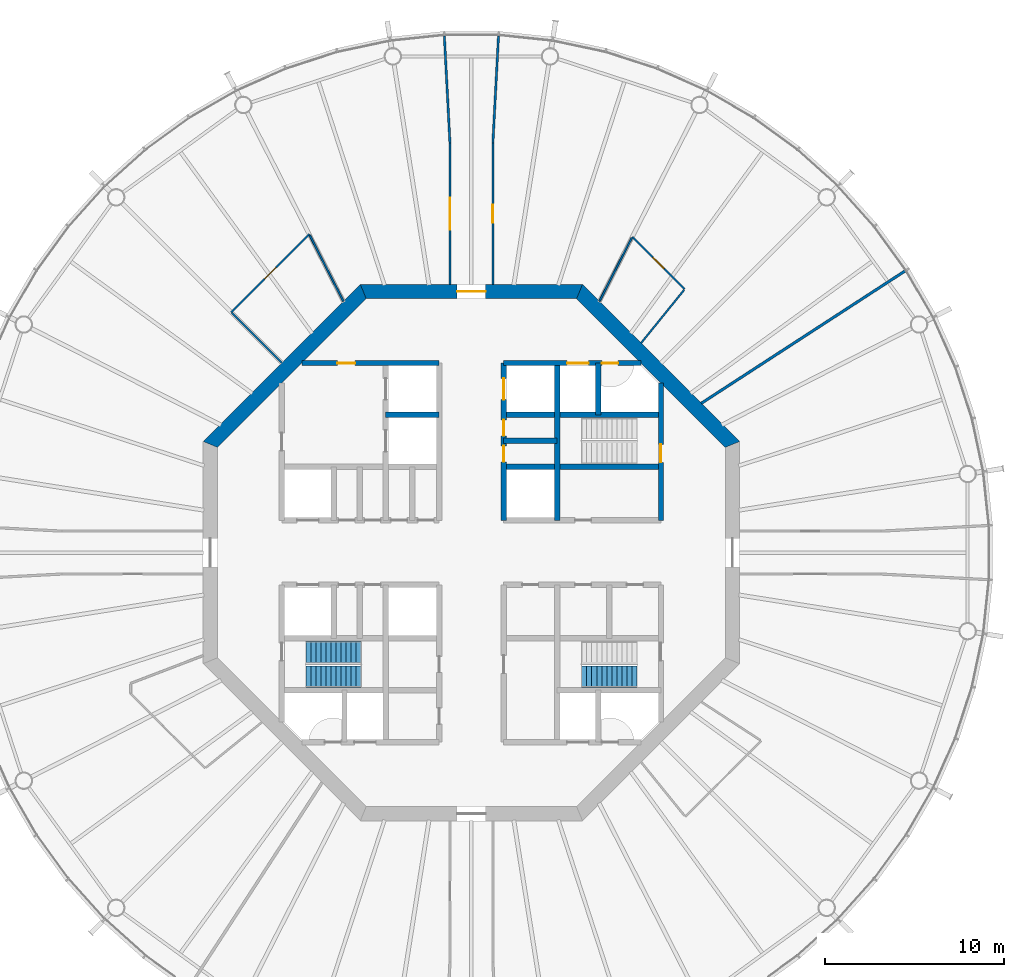
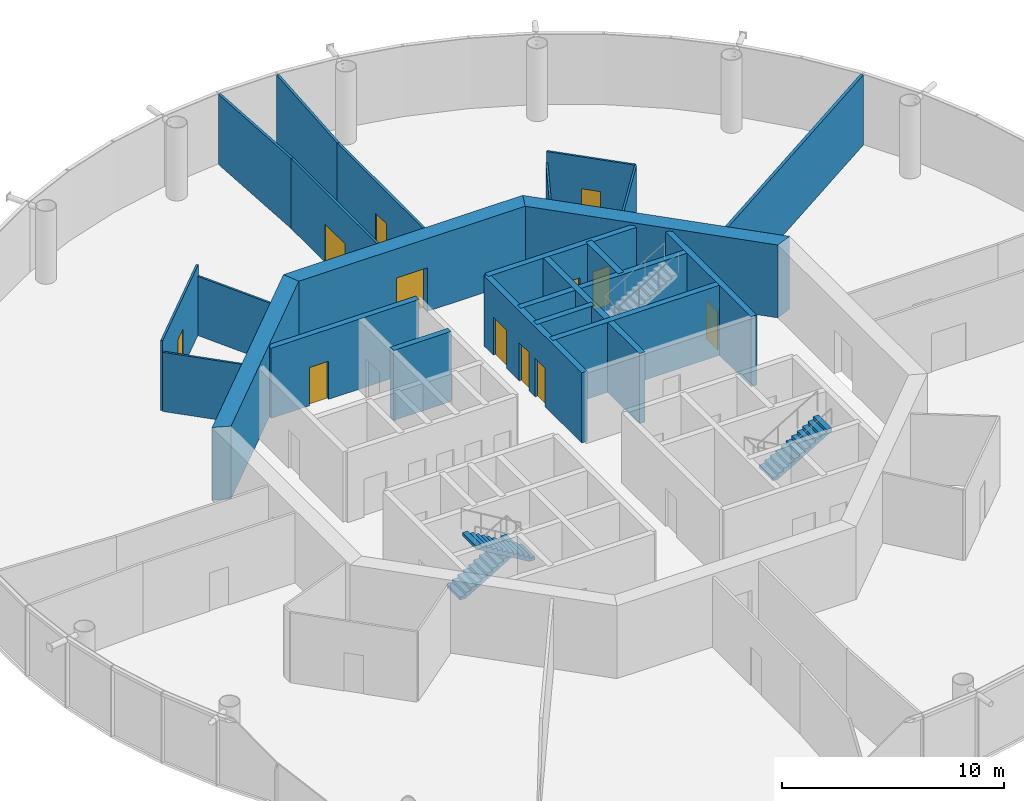
# One storey, part 5 of 17: 24 walls, 12 doors, 3 stair flights, 12 openings, 2 elements without a shape of their own.
"""IFC4 building model written with IfcOpenShell, lengths in metres."""

import ifcopenshell
import ifcopenshell.guid

model = None  # the IFC model being written
_history = None  # IfcOwnerHistory: only IFC2X3 demands one
_inside = {}  # id of a spatial element -> (the spatial element, [elements in it])
_under = {}  # id of a project, library or spatial element -> (it, [spatial elements below it])
_declared = {}  # id of a project -> (the project, [libraries it declares])
_typed = {}  # id of a type object -> (the type object, [elements of that type])
_made_of = {}  # id of a material, layer set ... -> (it, [elements and type objects made of it])


def new_model(schema):
    """Start an empty IFC model of exactly this schema.

    Asked for "IFC4X3", IfcOpenShell would pick the latest addendum, in which some entities
    have other attributes; the version numbers below select the first issue.
    IFC2X3 requires an IfcOwnerHistory on every rooted entity: one is made here for all.
    """
    global model, _history
    if schema == "IFC4X3":
        model = ifcopenshell.file(schema_version=(4, 3, 0, 0))
    else:
        model = ifcopenshell.file(schema=schema)
    _inside.clear()
    _under.clear()
    _declared.clear()
    _typed.clear()
    _made_of.clear()
    _history = None
    if model.schema == "IFC2X3":
        org = make("IfcOrganization", Name="unknown")
        user = make(
            "IfcPersonAndOrganization",
            ThePerson=make("IfcPerson", FamilyName="unknown"),
            TheOrganization=org,
        )
        app = make(
            "IfcApplication",
            ApplicationDeveloper=org,
            Version="unknown",
            ApplicationFullName="unknown",
            ApplicationIdentifier="unknown",
        )
        _history = make(
            "IfcOwnerHistory",
            OwningUser=user,
            OwningApplication=app,
            ChangeAction="ADDED",
            CreationDate=0,
        )
    return model


def make(cls, **values):
    """One entity of the class cls with the attributes given. An attribute that is None is left unset."""
    return model.create_entity(
        cls, **{name: value for name, value in values.items() if value is not None}
    )


def rooted(cls, **values):
    """An entity with a GlobalId (a new one), such as an element, a storey or a relation."""
    return make(cls, GlobalId=ifcopenshell.guid.new(), OwnerHistory=_history, **values)


def si_unit(unit_type, name, prefix=None):
    """IfcSIUnit, for example si_unit("LENGTHUNIT", "METRE", prefix="MILLI")."""
    return make("IfcSIUnit", UnitType=unit_type, Prefix=prefix, Name=name)


def assignment(units):
    """IfcUnitAssignment: the units of a project."""
    return None if units is None else make("IfcUnitAssignment", Units=units)


def point(xyz):
    """IfcCartesianPoint."""
    return None if xyz is None else make("IfcCartesianPoint", Coordinates=xyz)


def direction(xyz):
    """IfcDirection."""
    return None if xyz is None else make("IfcDirection", DirectionRatios=xyz)


def frame(location, z_axis=None, x_axis=None):
    """IfcAxis2Placement3D, a coordinate frame: its origin and axes. An axis left out is left unset."""
    return make(
        "IfcAxis2Placement3D",
        Location=point(location),
        Axis=direction(z_axis),
        RefDirection=direction(x_axis),
    )


def frame_2d(location, x_axis=None):
    """IfcAxis2Placement2D, a coordinate frame in the plane: its origin and x axis."""
    return make(
        "IfcAxis2Placement2D", Location=point(location), RefDirection=direction(x_axis)
    )


def origin():
    """The frame at (0, 0, 0) with its axes left unset."""
    return frame((0.0, 0.0, 0.0))


def place(relative_to, where):
    """IfcLocalPlacement: puts the frame where relative to a parent placement (None: the world)."""
    return make(
        "IfcLocalPlacement", PlacementRelTo=relative_to, RelativePlacement=where
    )


def context(
    kind, dimensions, precision=None, world=None, true_north=None, identifier=None
):
    """IfcGeometricRepresentationContext, for example the 3D "Model" context."""
    return make(
        "IfcGeometricRepresentationContext",
        ContextIdentifier=identifier,
        ContextType=kind,
        CoordinateSpaceDimension=dimensions,
        Precision=precision,
        WorldCoordinateSystem=world,
        TrueNorth=true_north,
    )


def subcontext(parent, identifier, kind, view, scale=None):
    """IfcGeometricRepresentationSubContext, for example "Body" below "Model"."""
    return make(
        "IfcGeometricRepresentationSubContext",
        ContextIdentifier=identifier,
        ContextType=kind,
        ParentContext=parent,
        TargetScale=scale,
        TargetView=view,
    )


def project(units=None, contexts=None):
    """IfcProject with its units and contexts."""
    return rooted(
        "IfcProject",
        Name="project",
        RepresentationContexts=contexts,
        UnitsInContext=assignment(units),
    )


def spatial(cls, under=None, at=None, **own):
    """A site, building, storey or space (cls), placed at a placement, below another one or the project."""
    s = rooted(cls, ObjectPlacement=at, **own)
    if under is not None:
        _under.setdefault(under.id(), (under, []))[1].append(s)
    return s


def polyline(points):
    """IfcPolyline through the points."""
    return make("IfcPolyline", Points=[point(p) for p in points])


def profile(cls, at=None, kind="AREA", **sizes):
    """A parametric profile (cls). Its sizes go by their IFC names, for example OverallWidth=200.0."""
    return make(cls, ProfileType=kind, Position=at, **sizes)


def rectangle(**sizes):
    """IfcRectangleProfileDef."""
    return profile("IfcRectangleProfileDef", **sizes)


def outline(outer, holes=None, kind="AREA"):
    """IfcArbitraryClosedProfileDef: a profile drawn as a closed curve; with holes, ...WithVoids."""
    if holes is None:
        return make("IfcArbitraryClosedProfileDef", ProfileType=kind, OuterCurve=outer)
    return make(
        "IfcArbitraryProfileDefWithVoids",
        ProfileType=kind,
        OuterCurve=outer,
        InnerCurves=holes,
    )


def extrude(swept, where, along, depth):
    """IfcExtrudedAreaSolid: the profile swept, set in the frame where, extruded along a direction by depth."""
    return make(
        "IfcExtrudedAreaSolid",
        SweptArea=swept,
        Position=where,
        ExtrudedDirection=direction(along),
        Depth=depth,
    )


def shape(context_of_items, identifier, shape_type, items):
    """IfcShapeRepresentation: the items that make up one representation, for example the "Body"."""
    return make(
        "IfcShapeRepresentation",
        ContextOfItems=context_of_items,
        RepresentationIdentifier=identifier,
        RepresentationType=shape_type,
        Items=items,
    )


def material(Name=None, Category=None):
    """IfcMaterial."""
    return make("IfcMaterial", Name=Name, Category=Category)


def layer(
    of_material, thickness, ventilated=None, Name=None, Category=None, Priority=None
):
    """IfcMaterialLayer: one layer of a wall or slab, of a material (None: an air gap)."""
    return make(
        "IfcMaterialLayer",
        Material=of_material,
        LayerThickness=thickness,
        IsVentilated=ventilated,
        Name=Name,
        Category=Category,
        Priority=Priority,
    )


def layer_set(layers, Name=None):
    """IfcMaterialLayerSet."""
    return make("IfcMaterialLayerSet", MaterialLayers=layers, LayerSetName=Name)


def made_of(thing, what):
    """Note that an element or type object is made of a material, layer set ...; save() writes the relation."""
    if what is not None:
        _made_of.setdefault(what.id(), (what, []))[1].append(thing)
    return thing


def type_object(cls, material=None, **own):
    """A type object (cls), such as IfcWallType, which elements share."""
    return made_of(rooted(cls, **own), material)


def element(
    cls,
    number,
    at=None,
    inside=None,
    cuts=None,
    type_object=None,
    material=None,
    context=None,
    identifier="Body",
    shape_type=None,
    held_by="IfcProductDefinitionShape",
    body=None,
    shapes=None,
    **own,
):
    """One element of the class cls, such as IfcWall. Its Tag is "e" and its number.

    at: its placement. inside: the storey or other place that contains it. cuts: it is an
    opening in that element (IfcRelVoidsElement). A single representation is given by context,
    identifier, shape_type and body (its items); several are given by shapes. held_by: the class
    of the entity that holds the representations. save() writes the other relations.
    """
    e = rooted(cls, Tag="e%d" % number, ObjectPlacement=at, **own)
    if body is not None:
        shapes = [shape(context, identifier, shape_type, body)]
    if shapes is not None:
        e.Representation = make(held_by, Representations=shapes)
    if inside is not None:
        _inside.setdefault(inside.id(), (inside, []))[1].append(e)
    if cuts is not None:
        rooted(
            "IfcRelVoidsElement", RelatingBuildingElement=cuts, RelatedOpeningElement=e
        )
    if type_object is not None:
        _typed.setdefault(type_object.id(), (type_object, []))[1].append(e)
    return made_of(e, material)


def fill(opening, filler):
    """IfcRelFillsElement: the door or window that sits in an opening."""
    return rooted(
        "IfcRelFillsElement",
        RelatingOpeningElement=opening,
        RelatedBuildingElement=filler,
    )


def aggregate(whole, parts):
    """IfcRelAggregates: a whole, such as a stair, and the parts it consists of."""
    return rooted("IfcRelAggregates", RelatingObject=whole, RelatedObjects=parts)


def save(model, path):
    """Write the relations noted so far, then the file.

    IfcRelAggregates (storeys below a building ...), IfcRelContainedInSpatialStructure (elements
    in a storey), IfcRelDefinesByType, IfcRelAssociatesMaterial and IfcRelDeclares: one each for
    every whole, place, type object, material and project.
    """
    for whole, parts in _under.values():
        aggregate(whole, parts)
    for where, things in _inside.values():
        rooted(
            "IfcRelContainedInSpatialStructure",
            RelatedElements=things,
            RelatingStructure=where,
        )
    for kind, things in _typed.values():
        rooted("IfcRelDefinesByType", RelatedObjects=things, RelatingType=kind)
    for what, things in _made_of.values():
        rooted("IfcRelAssociatesMaterial", RelatedObjects=things, RelatingMaterial=what)
    for by, libraries in _declared.values():
        rooted("IfcRelDeclares", RelatingContext=by, RelatedDefinitions=libraries)
    model.write(path)


model = new_model("IFC4")

# Units and contexts
model_context = context("Model", 3, precision=1e-05, world=origin(), true_north=direction((0.0, 1.0)))
body_context = subcontext(model_context, "Body", "Model", "MODEL_VIEW")
ifc_project = project(units=[si_unit("LENGTHUNIT", "METRE"), si_unit("AREAUNIT", "SQUARE_METRE"), si_unit("VOLUMEUNIT", "CUBIC_METRE"), si_unit("PLANEANGLEUNIT", "RADIAN"), si_unit("MASSUNIT", "GRAM", prefix="KILO")], contexts=[model_context])

# Site, building, storey
site_placement = place(None, origin())
site = spatial("IfcSite", under=ifc_project, at=site_placement, CompositionType="ELEMENT")
building_placement = place(site_placement, origin())
building = spatial("IfcBuilding", under=site, at=building_placement, Name="Entoto Ring Tower", CompositionType="ELEMENT")
storey_placement = place(building_placement, frame((0.0, 0.0, 306.0)))
storey = spatial("IfcBuildingStorey", under=building, at=storey_placement, Name="L70", CompositionType="ELEMENT", Elevation=306.0)

# Wall, opening, door
ifc_material_1 = material(Name="Concrete C40/50", Category="concrete")
ifc_layer_1 = layer(ifc_material_1, 0.300048828125)
ifc_layer_set_1 = layer_set([ifc_layer_1], Name="Concrete C40/50")
wall_type_1 = type_object("IfcWallType", Name="Core enclosure wall 300 mm reinforced concrete", PredefinedType="SOLIDWALL", material=ifc_layer_set_1)
wall_1_placement = place(storey_placement, frame((100.60009765625, 81.800048828125, 0.0), z_axis=(0.0, 0.0, 1.0), x_axis=(0.0, 1.0, 0.0)))
wall_1 = element("IfcWall", 1, at=wall_1_placement, inside=storey, type_object=wall_type_1, Name="wall-L70-002", PredefinedType="SOLIDWALL", context=body_context, shape_type="SweptSolid", body=[
    extrude(rectangle(XDim=7.681640625, YDim=0.300048828125, at=frame_2d((3.8408203125, 0.0))), origin(), (0.0, 0.0, 1.0), 3.85009765625),
])
opening_1_placement = place(wall_1_placement, frame((3.25, 0.0, 0.0)))
opening_1 = element("IfcOpeningElement", 2, at=opening_1_placement, cuts=wall_1, Name="Opening K-26", PredefinedType="OPENING", context=body_context, shape_type="SweptSolid", body=[
    extrude(rectangle(XDim=1.0, YDim=2.10009765625, at=frame_2d((0.5, 1.050048828125))), frame((0.0, 0.16015625, 0.0), z_axis=(0.0, -1.0, 0.0), x_axis=(1.0, 0.0, 0.0)), (0.0, 0.0, 1.0), 0.320068359375),
])
ifc_material_2 = material(Name="Steel door leaf, fire rated", Category="steel")
ifc_layer_2 = layer(ifc_material_2, 0.050048828125)
ifc_layer_set_2 = layer_set([ifc_layer_2], Name="Steel door leaf, fire rated")
door_type_1 = type_object("IfcDoorType", Name="Fire door FD60 1000 x 2100 single leaf", OperationType="NOTDEFINED", PredefinedType="DOOR", material=ifc_layer_set_2)
door_1_placement = place(opening_1_placement, origin())
door_1 = element("IfcDoor", 3, at=door_1_placement, inside=storey, type_object=door_type_1, Name="Door K-26", OperationType="SINGLE_SWING_LEFT", OverallHeight=2.10009765625, OverallWidth=1.0, PredefinedType="DOOR", context=body_context, shape_type="SweptSolid", body=[
    extrude(rectangle(XDim=1.0, YDim=2.10009765625, at=frame_2d((0.5, 1.050048828125))), frame((0.0, 0.02490234375, 0.0), z_axis=(0.0, -1.0, 0.0), x_axis=(1.0, 0.0, 0.0)), (0.0, 0.0, 1.0), 0.050048828125),
])
fill(opening_1, door_1)

# Walls
wall_2_placement = place(storey_placement, frame((97.10009765625, 87.699951171875, 0.0), z_axis=(0.0, 0.0, 1.0), x_axis=(0.0, 1.0, 0.0)))
element("IfcWall", 4, at=wall_2_placement, inside=storey, type_object=wall_type_1, Name="wall-L70-005", PredefinedType="SOLIDWALL", context=body_context, shape_type="SweptSolid", body=[
    extrude(rectangle(XDim=2.900146484375, YDim=0.300048828125, at=frame_2d((1.4501953125, 0.0))), origin(), (0.0, 0.0, 1.0), 3.85009765625),
])
wall_3_placement = place(storey_placement, frame((94.800048828125, 81.800048828125, 0.0), z_axis=(0.0, 0.0, 1.0), x_axis=(0.0, 1.0, 0.0)))
element("IfcWall", 5, at=wall_3_placement, inside=storey, type_object=wall_type_1, Name="wall-L70-007", PredefinedType="SOLIDWALL", context=body_context, shape_type="SweptSolid", body=[
    extrude(rectangle(XDim=8.800048828125, YDim=0.300048828125, at=frame_2d((4.39990234375, 0.0))), origin(), (0.0, 0.0, 1.0), 3.85009765625),
])

# Wall, openings, doors
wall_4_placement = place(storey_placement, frame((91.800048828125, 81.800048828125, 0.0), z_axis=(0.0, 0.0, 1.0), x_axis=(0.0, 1.0, 0.0)))
wall_4 = element("IfcWall", 6, at=wall_4_placement, inside=storey, type_object=wall_type_1, Name="wall-L70-009", PredefinedType="SOLIDWALL", context=body_context, shape_type="SweptSolid", body=[
    extrude(rectangle(XDim=8.800048828125, YDim=0.300048828125, at=frame_2d((4.39990234375, 0.0))), origin(), (0.0, 0.0, 1.0), 3.85009765625),
])
opening_2_placement = place(wall_4_placement, frame((6.75, 0.0, 0.0)))
opening_2 = element("IfcOpeningElement", 7, at=opening_2_placement, cuts=wall_4, Name="Opening LD", PredefinedType="OPENING", context=body_context, shape_type="SweptSolid", body=[
    extrude(rectangle(XDim=1.199951171875, YDim=2.10009765625, at=frame_2d((0.60009765625, 1.050048828125))), frame((0.0, 0.16015625, 0.0), z_axis=(0.0, -1.0, 0.0), x_axis=(1.0, 0.0, 0.0)), (0.0, 0.0, 1.0), 0.320068359375),
])
opening_3_placement = place(wall_4_placement, frame((3.27490234375, 0.0, 0.0)))
opening_3 = element("IfcOpeningElement", 8, at=opening_3_placement, cuts=wall_4, Name="Opening K-18", PredefinedType="OPENING", context=body_context, shape_type="SweptSolid", body=[
    extrude(rectangle(XDim=0.89990234375, YDim=2.10009765625, at=frame_2d((0.449951171875, 1.050048828125))), frame((0.0, 0.16015625, 0.0), z_axis=(0.0, -1.0, 0.0), x_axis=(1.0, 0.0, 0.0)), (0.0, 0.0, 1.0), 0.320068359375),
])
opening_4_placement = place(wall_4_placement, frame((4.72509765625, 0.0, 0.0)))
opening_4 = element("IfcOpeningElement", 9, at=opening_4_placement, cuts=wall_4, Name="Opening K-19", PredefinedType="OPENING", context=body_context, shape_type="SweptSolid", body=[
    extrude(rectangle(XDim=0.89990234375, YDim=2.10009765625, at=frame_2d((0.449951171875, 1.050048828125))), frame((0.0, 0.16015625, 0.0), z_axis=(0.0, -1.0, 0.0), x_axis=(1.0, 0.0, 0.0)), (0.0, 0.0, 1.0), 0.320068359375),
])
ifc_material_3 = material(Name="Steel door leaf, fire rated", Category="steel")
ifc_layer_3 = layer(ifc_material_3, 0.050048828125)
ifc_layer_set_3 = layer_set([ifc_layer_3], Name="Steel door leaf, fire rated")
door_type_2 = type_object("IfcDoorType", Name="Core door 900 x 2100 single leaf", OperationType="NOTDEFINED", PredefinedType="DOOR", material=ifc_layer_set_3)
door_2_placement = place(opening_3_placement, frame((0.89990234375, 0.0, 0.0), z_axis=(0.0, 0.0, 1.0), x_axis=(-1.0, 0.0, 0.0)))
door_2 = element("IfcDoor", 10, at=door_2_placement, inside=storey, type_object=door_type_2, Name="Door K-18", OperationType="SINGLE_SWING_LEFT", OverallHeight=2.10009765625, OverallWidth=0.89990234375, PredefinedType="DOOR", context=body_context, shape_type="SweptSolid", body=[
    extrude(rectangle(XDim=0.89990234375, YDim=2.10009765625, at=frame_2d((0.449951171875, 1.050048828125))), frame((0.0, 0.02490234375, 0.0), z_axis=(0.0, -1.0, 0.0), x_axis=(1.0, 0.0, 0.0)), (0.0, 0.0, 1.0), 0.050048828125),
])
fill(opening_3, door_2)
door_3_placement = place(opening_4_placement, frame((0.89990234375, 0.0, 0.0), z_axis=(0.0, 0.0, 1.0), x_axis=(-1.0, 0.0, 0.0)))
door_3 = element("IfcDoor", 11, at=door_3_placement, inside=storey, type_object=door_type_2, Name="Door K-19", OperationType="SINGLE_SWING_RIGHT", OverallHeight=2.10009765625, OverallWidth=0.89990234375, PredefinedType="DOOR", context=body_context, shape_type="SweptSolid", body=[
    extrude(rectangle(XDim=0.89990234375, YDim=2.10009765625, at=frame_2d((0.449951171875, 1.050048828125))), frame((0.0, 0.02490234375, 0.0), z_axis=(0.0, -1.0, 0.0), x_axis=(1.0, 0.0, 0.0)), (0.0, 0.0, 1.0), 0.050048828125),
])
fill(opening_4, door_3)
ifc_material_4 = material(Name="Steel and glass door leaf", Category="steel")
ifc_layer_4 = layer(ifc_material_4, 0.050048828125)
ifc_layer_set_4 = layer_set([ifc_layer_4], Name="Steel and glass door leaf")
door_type_3 = type_object("IfcDoorType", Name="Landing door 1200 x 2100 sliding", OperationType="DOUBLE_DOOR_SLIDING", PredefinedType="DOOR", material=ifc_layer_set_4)
door_4_placement = place(opening_2_placement, origin())
door_4 = element("IfcDoor", 12, at=door_4_placement, inside=storey, type_object=door_type_3, Name="Landing door SH3", OperationType="SLIDING_TO_RIGHT", OverallHeight=2.10009765625, OverallWidth=1.199951171875, PredefinedType="DOOR", context=body_context, shape_type="SweptSolid", body=[
    extrude(rectangle(XDim=1.199951171875, YDim=2.10009765625, at=frame_2d((0.60009765625, 1.050048828125))), frame((0.0, 0.02490234375, 0.0), z_axis=(0.0, -1.0, 0.0), x_axis=(1.0, 0.0, 0.0)), (0.0, 0.0, 1.0), 0.050048828125),
])
fill(opening_2, door_4)

# Walls
wall_5_placement = place(storey_placement, frame((91.800048828125, 84.800048828125, 0.0), z_axis=(0.0, 0.0, 1.0), x_axis=(1.0, 0.0, 0.0)))
element("IfcWall", 13, at=wall_5_placement, inside=storey, type_object=wall_type_1, Name="wall-L70-033", PredefinedType="SOLIDWALL", context=body_context, shape_type="SweptSolid", body=[
    extrude(rectangle(XDim=8.800048828125, YDim=0.300048828125, at=frame_2d((4.39990234375, 0.0))), origin(), (0.0, 0.0, 1.0), 3.85009765625),
])
for number, where, z_axis, x_axis, name in (
    (14, (91.800048828125, 86.25, 0.0), (0.0, 0.0, 1.0), (1.0, 0.0, 0.0), "wall-L70-034"),
    (15, (85.199951171875, 87.699951171875, 0.0), (0.0, 0.0, 1.0), (1.0, 0.0, 0.0), "wall-L70-035"),
):
    element("IfcWall", number, at=place(storey_placement, frame(where, z_axis=z_axis, x_axis=x_axis)), inside=storey, type_object=wall_type_1, Name=name, PredefinedType="SOLIDWALL", context=body_context, shape_type="SweptSolid", body=[
        extrude(rectangle(XDim=3.0, YDim=0.300048828125, at=frame_2d((1.5, 0.0))), origin(), (0.0, 0.0, 1.0), 3.85009765625),
    ])
wall_6_placement = place(storey_placement, frame((91.800048828125, 87.699951171875, 0.0), z_axis=(0.0, 0.0, 1.0), x_axis=(1.0, 0.0, 0.0)))
element("IfcWall", 16, at=wall_6_placement, inside=storey, type_object=wall_type_1, Name="wall-L70-036", PredefinedType="SOLIDWALL", context=body_context, shape_type="SweptSolid", body=[
    extrude(rectangle(XDim=8.800048828125, YDim=0.300048828125, at=frame_2d((4.39990234375, 0.0))), origin(), (0.0, 0.0, 1.0), 3.85009765625),
])

# Wall, opening, door
wall_7_placement = place(storey_placement, frame((80.518310546875, 90.60009765625, 0.0), z_axis=(0.0, 0.0, 1.0), x_axis=(1.0, 0.0, 0.0)))
wall_7 = element("IfcWall", 17, at=wall_7_placement, inside=storey, type_object=wall_type_1, Name="wall-L70-037", PredefinedType="SOLIDWALL", context=body_context, shape_type="SweptSolid", body=[
    extrude(rectangle(XDim=7.681640625, YDim=0.300048828125, at=frame_2d((3.8408203125, 0.0))), origin(), (0.0, 0.0, 1.0), 3.85009765625),
])
opening_5_placement = place(wall_7_placement, frame((1.981689453125, 0.0, 0.0)))
opening_5 = element("IfcOpeningElement", 18, at=opening_5_placement, cuts=wall_7, Name="Opening K-87", PredefinedType="OPENING", context=body_context, shape_type="SweptSolid", body=[
    extrude(rectangle(XDim=1.0, YDim=2.10009765625, at=frame_2d((0.5, 1.050048828125))), frame((0.0, 0.16015625, 0.0), z_axis=(0.0, -1.0, 0.0), x_axis=(1.0, 0.0, 0.0)), (0.0, 0.0, 1.0), 0.320068359375),
])
door_5_placement = place(opening_5_placement, frame((1.0, 0.0, 0.0), z_axis=(0.0, 0.0, 1.0), x_axis=(-1.0, 0.0, 0.0)))
door_5 = element("IfcDoor", 19, at=door_5_placement, inside=storey, type_object=door_type_1, Name="Door K-87", OperationType="SINGLE_SWING_LEFT", OverallHeight=2.10009765625, OverallWidth=1.0, PredefinedType="DOOR", context=body_context, shape_type="SweptSolid", body=[
    extrude(rectangle(XDim=1.0, YDim=2.10009765625, at=frame_2d((0.5, 1.050048828125))), frame((0.0, 0.02490234375, 0.0), z_axis=(0.0, -1.0, 0.0), x_axis=(1.0, 0.0, 0.0)), (0.0, 0.0, 1.0), 0.050048828125),
])
fill(opening_5, door_5)

# Wall, openings, doors
wall_8_placement = place(storey_placement, frame((91.800048828125, 90.60009765625, 0.0), z_axis=(0.0, 0.0, 1.0), x_axis=(1.0, 0.0, 0.0)))
wall_8 = element("IfcWall", 20, at=wall_8_placement, inside=storey, type_object=wall_type_1, Name="wall-L70-038", PredefinedType="SOLIDWALL", context=body_context, shape_type="SweptSolid", body=[
    extrude(rectangle(XDim=7.681640625, YDim=0.300048828125, at=frame_2d((3.8408203125, 0.0))), origin(), (0.0, 0.0, 1.0), 3.85009765625),
])
opening_6_placement = place(wall_8_placement, frame((3.550048828125, 0.0, 0.0)))
opening_6 = element("IfcOpeningElement", 21, at=opening_6_placement, cuts=wall_8, Name="Opening LD", PredefinedType="OPENING", context=body_context, shape_type="SweptSolid", body=[
    extrude(rectangle(XDim=1.199951171875, YDim=2.10009765625, at=frame_2d((0.60009765625, 1.050048828125))), frame((0.0, 0.16015625, 0.0), z_axis=(0.0, -1.0, 0.0), x_axis=(1.0, 0.0, 0.0)), (0.0, 0.0, 1.0), 0.320068359375),
])
opening_7_placement = place(wall_8_placement, frame((5.5, 0.0, 0.0)))
opening_7 = element("IfcOpeningElement", 22, at=opening_7_placement, cuts=wall_8, Name="Opening K-83", PredefinedType="OPENING", context=body_context, shape_type="SweptSolid", body=[
    extrude(rectangle(XDim=0.89990234375, YDim=2.10009765625, at=frame_2d((0.449951171875, 1.050048828125))), frame((0.0, 0.16015625, 0.0), z_axis=(0.0, -1.0, 0.0), x_axis=(1.0, 0.0, 0.0)), (0.0, 0.0, 1.0), 0.320068359375),
])
door_6_placement = place(opening_6_placement, origin())
door_6 = element("IfcDoor", 23, at=door_6_placement, inside=storey, type_object=door_type_3, Name="Landing door LB1-HR", OperationType="SLIDING_TO_RIGHT", OverallHeight=2.10009765625, OverallWidth=1.199951171875, PredefinedType="DOOR", context=body_context, shape_type="SweptSolid", body=[
    extrude(rectangle(XDim=1.199951171875, YDim=2.10009765625, at=frame_2d((0.60009765625, 1.050048828125))), frame((0.0, 0.02490234375, 0.0), z_axis=(0.0, -1.0, 0.0), x_axis=(1.0, 0.0, 0.0)), (0.0, 0.0, 1.0), 0.050048828125),
])
fill(opening_6, door_6)
ifc_material_5 = material(Name="Steel door leaf, fire rated", Category="steel")
ifc_layer_5 = layer(ifc_material_5, 0.050048828125)
ifc_layer_set_5 = layer_set([ifc_layer_5], Name="Steel door leaf, fire rated")
door_type_4 = type_object("IfcDoorType", Name="Riser door FD60 900 x 2100 single leaf", OperationType="NOTDEFINED", PredefinedType="DOOR", material=ifc_layer_set_5)
door_7_placement = place(opening_7_placement, frame((0.89990234375, 0.0, 0.0), z_axis=(0.0, 0.0, 1.0), x_axis=(-1.0, 0.0, 0.0)))
door_7 = element("IfcDoor", 24, at=door_7_placement, inside=storey, type_object=door_type_4, Name="Door K-83", OperationType="SINGLE_SWING_RIGHT", OverallHeight=2.10009765625, OverallWidth=0.89990234375, PredefinedType="DOOR", context=body_context, shape_type="SweptSolid", body=[
    extrude(rectangle(XDim=0.89990234375, YDim=2.10009765625, at=frame_2d((0.449951171875, 1.050048828125))), frame((0.0, 0.02490234375, 0.0), z_axis=(0.0, -1.0, 0.0), x_axis=(1.0, 0.0, 0.0)), (0.0, 0.0, 1.0), 0.050048828125),
])
fill(opening_7, door_7)

# Wall
ifc_material_6 = material(Name="Concrete C40/50", Category="concrete")
ifc_layer_6 = layer(ifc_material_6, 0.800048828125)
ifc_layer_set_6 = layer_set([ifc_layer_6], Name="Concrete C40/50")
wall_type_2 = type_object("IfcWallType", Name="Core shear wall 800 mm reinforced concrete C40/50", PredefinedType="SHEAR", material=ifc_layer_set_6)
wall_9_placement = place(storey_placement, frame((104.60009765625, 86.047607421875, 0.0), z_axis=(0.0, 0.0, 1.0), x_axis=(-0.707106781187, 0.707106781187, 0.0)))
element("IfcWall", 25, at=wall_9_placement, inside=storey, type_object=wall_type_2, Name="wall-L70-core-1", PredefinedType="SHEAR", context=body_context, shape_type="SweptSolid", body=[
    extrude(outline(polyline([(-0.165771484375, -0.39990234375), (12.2607421875, -0.39990234375), (11.92919921875, 0.39990234375), (0.165771484375, 0.39990234375), (-0.165771484375, -0.39990234375)])), origin(), (0.0, 0.0, 1.0), 4.0),
])

# Wall, opening, door
wall_10_placement = place(storey_placement, frame((96.047607421875, 94.60009765625, 0.0), z_axis=(0.0, 0.0, 1.0), x_axis=(-1.0, 0.0, 0.0)))
wall_10 = element("IfcWall", 26, at=wall_10_placement, inside=storey, type_object=wall_type_2, Name="wall-L70-core-2", PredefinedType="SHEAR", context=body_context, shape_type="SweptSolid", body=[
    extrude(outline(polyline([(-0.165771484375, -0.39990234375), (12.260986328125, -0.39990234375), (11.929443359375, 0.39990234375), (0.165771484375, 0.39990234375), (-0.165771484375, -0.39990234375)])), origin(), (0.0, 0.0, 1.0), 4.0),
])
opening_8_placement = place(wall_10_placement, frame((5.24755859375, 0.0, 0.0)))
opening_8 = element("IfcOpeningElement", 27, at=opening_8_placement, cuts=wall_10, Name="Opening K-02", PredefinedType="OPENING", context=body_context, shape_type="SweptSolid", body=[
    extrude(rectangle(XDim=1.60009765625, YDim=2.39990234375, at=frame_2d((0.800048828125, 1.199951171875))), frame((0.0, 0.41015625, 0.0), z_axis=(0.0, -1.0, 0.0), x_axis=(1.0, 0.0, 0.0)), (0.0, 0.0, 1.0), 0.820068359375),
])
ifc_material_7 = material(Name="Steel door leaf, fire rated", Category="steel")
ifc_layer_7 = layer(ifc_material_7, 0.050048828125)
ifc_layer_set_7 = layer_set([ifc_layer_7], Name="Steel door leaf, fire rated")
door_type_5 = type_object("IfcDoorType", Name="Entrance door FD60 1600 x 2400 double leaf", OperationType="DOUBLE_DOOR_SINGLE_SWING", PredefinedType="DOOR", material=ifc_layer_set_7)
door_8_placement = place(opening_8_placement, origin())
door_8 = element("IfcDoor", 28, at=door_8_placement, inside=storey, type_object=door_type_5, Name="Entrance door K-02", OperationType="DOUBLE_DOOR_SINGLE_SWING", OverallHeight=2.39990234375, OverallWidth=1.60009765625, PredefinedType="DOOR", context=body_context, shape_type="SweptSolid", body=[
    extrude(rectangle(XDim=1.60009765625, YDim=2.39990234375, at=frame_2d((0.800048828125, 1.199951171875))), frame((0.0, 0.02490234375, 0.0), z_axis=(0.0, -1.0, 0.0), x_axis=(1.0, 0.0, 0.0)), (0.0, 0.0, 1.0), 0.050048828125),
])
fill(opening_8, door_8)

# Wall
wall_11_placement = place(storey_placement, frame((83.952392578125, 94.60009765625, 0.0), z_axis=(0.0, 0.0, 1.0), x_axis=(-0.707106781187, -0.707106781187, 0.0)))
element("IfcWall", 29, at=wall_11_placement, inside=storey, type_object=wall_type_2, Name="wall-L70-core-3", PredefinedType="SHEAR", context=body_context, shape_type="SweptSolid", body=[
    extrude(outline(polyline([(-0.165771484375, -0.39990234375), (12.2607421875, -0.39990234375), (11.92919921875, 0.39990234375), (0.165771484375, 0.39990234375), (-0.165771484375, -0.39990234375)])), origin(), (0.0, 0.0, 1.0), 4.0),
])

# Wall, opening, door
ifc_material_8 = material(Name="Fire-resisting plasterboard on steel studs", Category="steel")
ifc_layer_8 = layer(ifc_material_8, 0.125)
ifc_layer_set_8 = layer_set([ifc_layer_8], Name="Fire-resisting plasterboard on steel studs")
wall_type_3 = type_object("IfcWallType", Name="Corridor wall 125 mm one-hour plasterboard on steel studs", PredefinedType="PARTITIONING", material=ifc_layer_set_8)
wall_12_placement = place(storey_placement, frame((88.800048828125, 95.0, 0.0), z_axis=(0.0, 0.0, 1.0), x_axis=(0.0, 1.0, 0.0)))
wall_12 = element("IfcWall", 30, at=wall_12_placement, inside=storey, type_object=wall_type_3, Name="partition-L70-004", PredefinedType="PARTITIONING", context=body_context, shape_type="SweptSolid", body=[
    extrude(rectangle(XDim=7.8974609375, YDim=0.125, at=frame_2d((3.94873046875, 0.0))), origin(), (0.0, 0.0, 1.0), 3.85009765625),
])
opening_9_placement = place(wall_12_placement, frame((3.048583984375, 0.0, 0.0)))
opening_9 = element("IfcOpeningElement", 31, at=opening_9_placement, cuts=wall_12, Name="Opening A30-D04", PredefinedType="OPENING", context=body_context, shape_type="SweptSolid", body=[
    extrude(rectangle(XDim=1.800048828125, YDim=2.10009765625, at=frame_2d((0.89990234375, 1.050048828125))), frame((0.0, 0.072509765625, 0.0), z_axis=(0.0, -1.0, 0.0), x_axis=(1.0, 0.0, 0.0)), (0.0, 0.0, 1.0), 0.14501953125),
])
ifc_material_9 = material(Name="Fire-resisting timber door set", Category="wood")
door_type_6 = type_object("IfcDoorType", Name="Door 1800 x 2100 double leaf FD30S fire door", OperationType="DOUBLE_DOOR_SINGLE_SWING", PredefinedType="DOOR", material=ifc_material_9)
door_9_placement = place(opening_9_placement, origin())
door_9 = element("IfcDoor", 32, at=door_9_placement, inside=storey, type_object=door_type_6, Name="Door A30-D04", OperationType="DOUBLE_DOOR_SINGLE_SWING", OverallHeight=2.10009765625, OverallWidth=1.800048828125, PredefinedType="DOOR", context=body_context, shape_type="SweptSolid", body=[
    extrude(rectangle(XDim=1.800048828125, YDim=2.10009765625, at=frame_2d((0.89990234375, 1.050048828125))), frame((0.0, 0.02490234375, 0.0), z_axis=(0.0, -1.0, 0.0), x_axis=(1.0, 0.0, 0.0)), (0.0, 0.0, 1.0), 0.050048828125),
])
fill(opening_9, door_9)

wall_13_placement = place(storey_placement, frame((91.199951171875, 95.0, 0.0), z_axis=(0.0, 0.0, 1.0), x_axis=(0.0, 1.0, 0.0)))
wall_13 = element("IfcWall", 33, at=wall_13_placement, inside=storey, type_object=wall_type_3, Name="partition-L70-006", PredefinedType="PARTITIONING", context=body_context, shape_type="SweptSolid", body=[
    extrude(rectangle(XDim=7.8974609375, YDim=0.125, at=frame_2d((3.94873046875, 0.0))), origin(), (0.0, 0.0, 1.0), 3.85009765625),
])
opening_10_placement = place(wall_13_placement, frame((3.44873046875, 0.0, 0.0)))
opening_10 = element("IfcOpeningElement", 34, at=opening_10_placement, cuts=wall_13, Name="Opening A30-D02", PredefinedType="OPENING", context=body_context, shape_type="SweptSolid", body=[
    extrude(rectangle(XDim=1.0, YDim=2.10009765625, at=frame_2d((0.5, 1.050048828125))), frame((0.0, 0.072509765625, 0.0), z_axis=(0.0, -1.0, 0.0), x_axis=(1.0, 0.0, 0.0)), (0.0, 0.0, 1.0), 0.14501953125),
])
ifc_material_10 = material(Name="Fire-resisting timber door set", Category="wood")
door_type_7 = type_object("IfcDoorType", Name="Door 1000 x 2100 single leaf FD30S fire door", OperationType="NOTDEFINED", PredefinedType="DOOR", material=ifc_material_10)
door_10_placement = place(opening_10_placement, frame((1.0, 0.0, 0.0), z_axis=(0.0, 0.0, 1.0), x_axis=(-1.0, 0.0, 0.0)))
door_10 = element("IfcDoor", 35, at=door_10_placement, inside=storey, type_object=door_type_7, Name="Door A30-D02", OperationType="SINGLE_SWING_RIGHT", OverallHeight=2.10009765625, OverallWidth=1.0, PredefinedType="DOOR", context=body_context, shape_type="SweptSolid", body=[
    extrude(rectangle(XDim=1.0, YDim=2.10009765625, at=frame_2d((0.5, 1.050048828125))), frame((0.0, 0.02490234375, 0.0), z_axis=(0.0, -1.0, 0.0), x_axis=(1.0, 0.0, 0.0)), (0.0, 0.0, 1.0), 0.050048828125),
])
fill(opening_10, door_10)

# Walls
for number, where, z_axis, x_axis, name in (
    (36, (88.7998046875, 102.900634765625, 0.0), (0.0, 0.0, 1.0), (-0.052339150565, 0.998629367342, 0.0), "partition-L70-012"),
    (37, (91.2001953125, 102.900634765625, 0.0), (0.0, 0.0, 1.0), (0.052339150565, 0.998629367342, 0.0), "partition-L70-013"),
):
    element("IfcWall", number, at=place(storey_placement, frame(where, z_axis=z_axis, x_axis=x_axis)), inside=storey, type_object=wall_type_3, Name=name, PredefinedType="PARTITIONING", context=body_context, shape_type="SweptSolid", body=[
        extrude(rectangle(XDim=6.008056640625, YDim=0.125, at=frame_2d((3.00390625, 0.0))), origin(), (0.0, 0.0, 1.0), 3.85009765625),
    ])

# Wall, opening, door
ifc_material_11 = material(Name="Plasterboard on steel studs", Category="steel")
ifc_layer_9 = layer(ifc_material_11, 0.10009765625)
ifc_layer_set_9 = layer_set([ifc_layer_9], Name="Plasterboard on steel studs")
wall_type_4 = type_object("IfcWallType", Name="Partition 100 mm plasterboard on steel studs", PredefinedType="PARTITIONING", material=ifc_layer_set_9)
wall_14_placement = place(storey_placement, frame((76.557861328125, 93.442138671875, 0.0), z_axis=(0.0, 0.0, 1.0), x_axis=(0.707106781187, 0.707106781187, 0.0)))
wall_14 = element("IfcWall", 38, at=wall_14_placement, inside=storey, type_object=wall_type_4, Name="partition-L70-019", PredefinedType="PARTITIONING", context=body_context, shape_type="SweptSolid", body=[
    extrude(rectangle(XDim=6.1767578125, YDim=0.10009765625, at=frame_2d((3.08837890625, 0.0))), origin(), (0.0, 0.0, 1.0), 3.85009765625),
])
opening_11_placement = place(wall_14_placement, frame((2.638427734375, 0.0, 0.0)))
opening_11 = element("IfcOpeningElement", 39, at=opening_11_placement, cuts=wall_14, Name="Opening A30-D05", PredefinedType="OPENING", context=body_context, shape_type="SweptSolid", body=[
    extrude(rectangle(XDim=0.89990234375, YDim=2.10009765625, at=frame_2d((0.449951171875, 1.050048828125))), frame((0.0, 0.06005859375, 0.0), z_axis=(0.0, -1.0, 0.0), x_axis=(1.0, 0.0, 0.0)), (0.0, 0.0, 1.0), 0.1201171875),
])
ifc_material_12 = material(Name="Veneered timber door leaf in timber frame", Category="wood")
door_type_8 = type_object("IfcDoorType", Name="Door 900 x 2100 single leaf timber veneer", OperationType="NOTDEFINED", PredefinedType="DOOR", material=ifc_material_12)
door_11_placement = place(opening_11_placement, frame((0.89990234375, 0.0, 0.0), z_axis=(0.0, 0.0, 1.0), x_axis=(-1.0, 0.0, 0.0)))
door_11 = element("IfcDoor", 40, at=door_11_placement, inside=storey, type_object=door_type_8, Name="Door A30-D05", OperationType="SINGLE_SWING_LEFT", OverallHeight=2.10009765625, OverallWidth=0.89990234375, PredefinedType="DOOR", context=body_context, shape_type="SweptSolid", body=[
    extrude(rectangle(XDim=0.89990234375, YDim=2.10009765625, at=frame_2d((0.449951171875, 1.050048828125))), frame((0.0, 0.02490234375, 0.0), z_axis=(0.0, -1.0, 0.0), x_axis=(1.0, 0.0, 0.0)), (0.0, 0.0, 1.0), 0.050048828125),
])
fill(opening_11, door_11)

wall_15_placement = place(storey_placement, frame((101.927978515625, 94.72998046875, 0.0), z_axis=(0.0, 0.0, 1.0), x_axis=(-0.707106781187, 0.707106781187, 0.0)))
wall_15 = element("IfcWall", 41, at=wall_15_placement, inside=storey, type_object=wall_type_4, Name="partition-L70-024", PredefinedType="PARTITIONING", context=body_context, shape_type="SweptSolid", body=[
    extrude(rectangle(XDim=4.1435546875, YDim=0.10009765625, at=frame_2d((2.07177734375, 0.0))), origin(), (0.0, 0.0, 1.0), 3.85009765625),
])
opening_12_placement = place(wall_15_placement, frame((1.621826171875, 0.0, 0.0)))
opening_12 = element("IfcOpeningElement", 42, at=opening_12_placement, cuts=wall_15, Name="Opening A30-D03", PredefinedType="OPENING", context=body_context, shape_type="SweptSolid", body=[
    extrude(rectangle(XDim=0.89990234375, YDim=2.10009765625, at=frame_2d((0.449951171875, 1.050048828125))), frame((0.0, 0.06005859375, 0.0), z_axis=(0.0, -1.0, 0.0), x_axis=(1.0, 0.0, 0.0)), (0.0, 0.0, 1.0), 0.1201171875),
])
door_12_placement = place(opening_12_placement, origin())
door_12 = element("IfcDoor", 43, at=door_12_placement, inside=storey, type_object=door_type_8, Name="Door A30-D03", OperationType="SINGLE_SWING_RIGHT", OverallHeight=2.10009765625, OverallWidth=0.89990234375, PredefinedType="DOOR", context=body_context, shape_type="SweptSolid", body=[
    extrude(rectangle(XDim=0.89990234375, YDim=2.10009765625, at=frame_2d((0.449951171875, 1.050048828125))), frame((0.0, 0.02490234375, 0.0), z_axis=(0.0, -1.0, 0.0), x_axis=(1.0, 0.0, 0.0)), (0.0, 0.0, 1.0), 0.050048828125),
])
fill(opening_12, door_12)

# Walls
wall_16_placement = place(storey_placement, frame((99.49169921875, 91.721435546875, 0.0), z_axis=(0.0, 0.0, 1.0), x_axis=(0.629319512753, 0.777146672687, 0.0)))
element("IfcWall", 44, at=wall_16_placement, inside=storey, type_object=wall_type_4, Name="partition-L70-030", PredefinedType="PARTITIONING", context=body_context, shape_type="SweptSolid", body=[
    extrude(rectangle(XDim=3.821533203125, YDim=0.10009765625, at=frame_2d((1.91064453125, 0.0))), origin(), (0.0, 0.0, 1.0), 3.85009765625),
])
ifc_material_13 = material(Name="Plasterboard on steel studs", Category="steel")
ifc_layer_10 = layer(ifc_material_13, 0.10009765625)
ifc_layer_set_10 = layer_set([ifc_layer_10], Name="Plasterboard on steel studs")
wall_type_5 = type_object("IfcWallType", Name="Partition 100 mm plasterboard on steel studs, 3250 mm high", PredefinedType="PARTITIONING", material=ifc_layer_set_10)
wall_17_placement = place(storey_placement, frame((82.839599609375, 94.052978515625, 0.0), z_axis=(0.0, 0.0, 1.0), x_axis=(-0.453958407488, 0.891022875279, 0.0)))
element("IfcWall", 45, at=wall_17_placement, inside=storey, type_object=wall_type_5, Name="partition-L70-023", PredefinedType="PARTITIONING", context=body_context, shape_type="SweptSolid", body=[
    extrude(rectangle(XDim=4.1474609375, YDim=0.10009765625, at=frame_2d((2.07373046875, 0.0))), origin(), (0.0, 0.0, 1.0), 3.25),
])
wall_18_placement = place(storey_placement, frame((97.160400390625, 94.052978515625, 0.0), z_axis=(0.0, 0.0, 1.0), x_axis=(0.453949677303, 0.891027323081, 0.0)))
element("IfcWall", 46, at=wall_18_placement, inside=storey, type_object=wall_type_5, Name="partition-L70-026", PredefinedType="PARTITIONING", context=body_context, shape_type="SweptSolid", body=[
    extrude(rectangle(XDim=3.979248046875, YDim=0.10009765625, at=frame_2d((1.98974609375, 0.0))), origin(), (0.0, 0.0, 1.0), 3.25),
])
wall_19_placement = place(storey_placement, frame((79.393310546875, 90.606689453125, 0.0), z_axis=(0.0, 0.0, 1.0), x_axis=(-0.707106781187, 0.707106781187, 0.0)))
element("IfcWall", 47, at=wall_19_placement, inside=storey, type_object=wall_type_5, Name="partition-L70-027", PredefinedType="PARTITIONING", context=body_context, shape_type="SweptSolid", body=[
    extrude(rectangle(XDim=3.9599609375, YDim=0.10009765625, at=frame_2d((1.97998046875, 0.0))), origin(), (0.0, 0.0, 1.0), 3.25),
])
ifc_material_14 = material(Name="Fire-resisting acoustic plasterboard on steel studs", Category="steel")
ifc_layer_11 = layer(ifc_material_14, 0.14990234375)
ifc_layer_set_11 = layer_set([ifc_layer_11], Name="Fire-resisting acoustic plasterboard on steel studs")
wall_type_6 = type_object("IfcWallType", Name="Party wall 150 mm one-hour acoustic plasterboard on steel studs", PredefinedType="PARTITIONING", material=ifc_layer_set_11)
wall_20_placement = place(storey_placement, frame((102.861083984375, 88.35205078125, 0.0), z_axis=(0.0, 0.0, 1.0), x_axis=(0.838662894558, 0.544650850813, 0.0)))
element("IfcWall", 48, at=wall_20_placement, inside=storey, type_object=wall_type_6, Name="partition-L70-018", PredefinedType="PARTITIONING", context=body_context, shape_type="SweptSolid", body=[
    extrude(rectangle(XDim=13.60498046875, YDim=0.14990234375, at=frame_2d((6.802490234375, 0.0))), origin(), (0.0, 0.0, 1.0), 3.85009765625),
])

# Stair, stair flights
ifc_material_15 = material(Name="Concrete C40/50", Category="concrete")
stair_type = type_object("IfcStairType", Name="Exit stair 1200 mm dog-leg reinforced concrete", PredefinedType="HALF_TURN_STAIR", material=ifc_material_15)
stair_1_placement = place(storey_placement, origin())
stair_1 = element("IfcStair", 49, at=stair_1_placement, inside=storey, type_object=stair_type, Name="Exit stair 2", PredefinedType="HALF_TURN_STAIR")
ifc_material_16 = material(Name="Concrete C40/50", Category="concrete")
stair_flight_type = type_object("IfcStairFlightType", Name="Stair flight 1200 mm reinforced concrete", PredefinedType="STRAIGHT", material=ifc_material_16)
stair_flight_1_placement = place(storey_placement, frame((80.75, 74.449951171875, 0.0), z_axis=(0.0, 0.0, 1.0), x_axis=(1.0, 0.0, 0.0)))
stair_flight_1 = element("IfcStairFlight", 50, at=stair_flight_1_placement, type_object=stair_flight_type, Name="ST2 flight 1", NumberOfRisers=12, NumberOfTreads=11, PredefinedType="STRAIGHT", RiserHeight=0.166666667, TreadLength=0.28, context=body_context, shape_type="SweptSolid", body=[
    extrude(outline(polyline([(0.0, 0.0), (0.0, 0.166748046875), (0.280029296875, 0.166748046875), (0.280029296875, 0.333251953125), (0.56005859375, 0.333251953125), (0.56005859375, 0.5), (0.840087890625, 0.5), (0.840087890625, 0.666748046875), (1.1201171875, 0.666748046875), (1.1201171875, 0.833251953125), (1.39990234375, 0.833251953125), (1.39990234375, 1.0), (1.679931640625, 1.0), (1.679931640625, 1.166748046875), (1.9599609375, 1.166748046875), (1.9599609375, 1.333251953125), (2.239990234375, 1.333251953125), (2.239990234375, 1.5), (2.52001953125, 1.5), (2.52001953125, 1.666748046875), (2.800048828125, 1.666748046875), (2.800048828125, 1.833251953125), (3.080078125, 1.833251953125), (3.080078125, 2.0), (3.080078125, 1.658935546875), (0.29296875, 0.0), (0.0, 0.0)])), frame((0.0, 0.60009765625, 0.0), z_axis=(0.0, -1.0, 0.0), x_axis=(1.0, 0.0, 0.0)), (0.0, 0.0, 1.0), 1.199951171875),
])
stair_flight_2_placement = place(storey_placement, frame((83.830078125, 73.050048828125, 2.0), z_axis=(0.0, 0.0, 1.0), x_axis=(-1.0, 0.0, 0.0)))
stair_flight_2 = element("IfcStairFlight", 51, at=stair_flight_2_placement, type_object=stair_flight_type, Name="ST2 flight 2", NumberOfRisers=12, NumberOfTreads=11, PredefinedType="STRAIGHT", RiserHeight=0.166666667, TreadLength=0.28, context=body_context, shape_type="SweptSolid", body=[
    extrude(outline(polyline([(0.0, 0.0), (0.0, 0.166748046875), (0.280029296875, 0.166748046875), (0.280029296875, 0.333251953125), (0.56005859375, 0.333251953125), (0.56005859375, 0.5), (0.840087890625, 0.5), (0.840087890625, 0.666748046875), (1.1201171875, 0.666748046875), (1.1201171875, 0.833251953125), (1.39990234375, 0.833251953125), (1.39990234375, 1.0), (1.679931640625, 1.0), (1.679931640625, 1.166748046875), (1.9599609375, 1.166748046875), (1.9599609375, 1.333251953125), (2.239990234375, 1.333251953125), (2.239990234375, 1.5), (2.52001953125, 1.5), (2.52001953125, 1.666748046875), (2.800048828125, 1.666748046875), (2.800048828125, 1.833251953125), (3.080078125, 1.833251953125), (3.080078125, 2.0), (3.080078125, 1.658935546875), (0.29296875, 0.0), (0.0, 0.0)])), frame((0.0, 0.60009765625, 0.0), z_axis=(0.0, -1.0, 0.0), x_axis=(1.0, 0.0, 0.0)), (0.0, 0.0, 1.0), 1.199951171875),
])
aggregate(stair_1, [stair_flight_1, stair_flight_2])

# Stair, stair flight
stair_2_placement = place(storey_placement, origin())
stair_2 = element("IfcStair", 52, at=stair_2_placement, inside=storey, type_object=stair_type, Name="Exit stair 3", PredefinedType="HALF_TURN_STAIR")
stair_flight_3_placement = place(storey_placement, frame((96.169921875, 73.050048828125, 2.0), z_axis=(0.0, 0.0, 1.0), x_axis=(1.0, 0.0, 0.0)))
stair_flight_3 = element("IfcStairFlight", 53, at=stair_flight_3_placement, type_object=stair_flight_type, Name="ST3 flight 2", NumberOfRisers=12, NumberOfTreads=11, PredefinedType="STRAIGHT", RiserHeight=0.166666667, TreadLength=0.28, context=body_context, shape_type="SweptSolid", body=[
    extrude(outline(polyline([(0.0, 0.0), (0.0, 0.166748046875), (0.280029296875, 0.166748046875), (0.280029296875, 0.333251953125), (0.56005859375, 0.333251953125), (0.56005859375, 0.5), (0.840087890625, 0.5), (0.840087890625, 0.666748046875), (1.1201171875, 0.666748046875), (1.1201171875, 0.833251953125), (1.39990234375, 0.833251953125), (1.39990234375, 1.0), (1.679931640625, 1.0), (1.679931640625, 1.166748046875), (1.9599609375, 1.166748046875), (1.9599609375, 1.333251953125), (2.239990234375, 1.333251953125), (2.239990234375, 1.5), (2.52001953125, 1.5), (2.52001953125, 1.666748046875), (2.800048828125, 1.666748046875), (2.800048828125, 1.833251953125), (3.080078125, 1.833251953125), (3.080078125, 2.0), (3.080078125, 1.658935546875), (0.29296875, 0.0), (0.0, 0.0)])), frame((0.0, 0.60009765625, 0.0), z_axis=(0.0, -1.0, 0.0), x_axis=(1.0, 0.0, 0.0)), (0.0, 0.0, 1.0), 1.199951171875),
])
aggregate(stair_2, [stair_flight_3])

save(model, "model.ifc")
